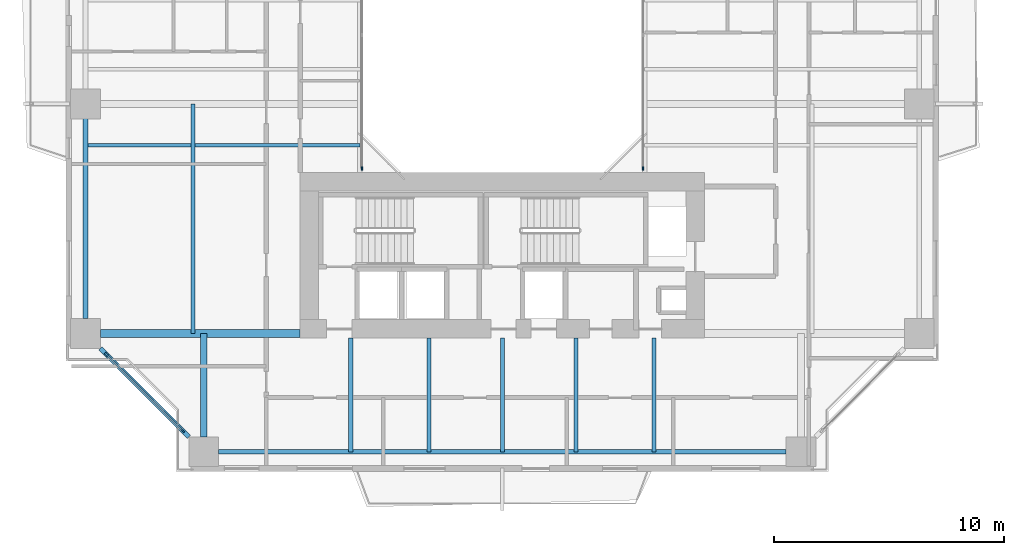
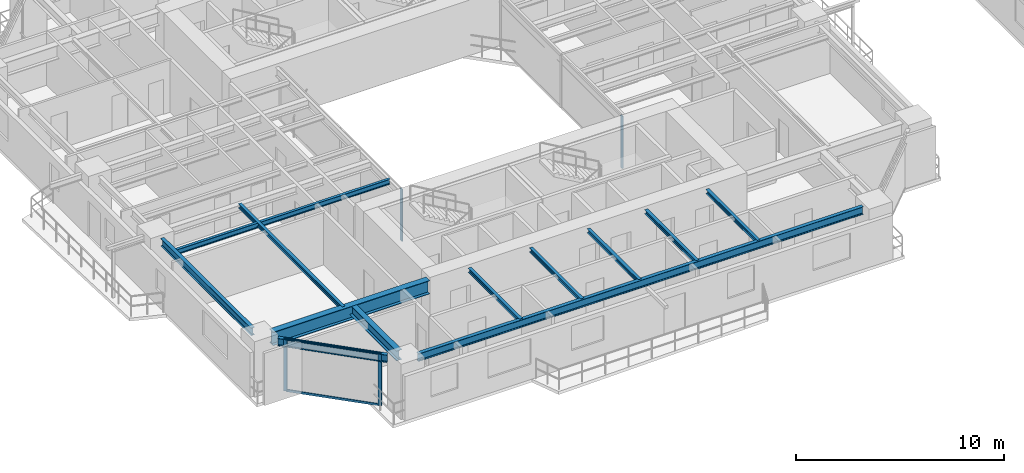
# One storey, part 2 of 23: 12 beams, 6 members, 3 elements without a shape of their own.
"""IFC4 building model written with IfcOpenShell, lengths in metres."""

from ifc_helpers import new_model, si_unit, direction, frame, origin, origin_2d, place, context, subcontext, project, spatial, rectangle, i_section, extrude, source, transform, mapped, material, layer, layer_set, material_profile, profile_set, type_object, element, aggregate, save


model = new_model("IFC4")

# Units and contexts
model_context = context("Model", 3, precision=1e-05, world=origin(), true_north=direction((0.0, 1.0)))
body_context = subcontext(model_context, "Body", "Model", "MODEL_VIEW")
ifc_project = project(units=[si_unit("LENGTHUNIT", "METRE"), si_unit("AREAUNIT", "SQUARE_METRE"), si_unit("VOLUMEUNIT", "CUBIC_METRE"), si_unit("PLANEANGLEUNIT", "RADIAN"), si_unit("MASSUNIT", "GRAM", prefix="KILO"), si_unit("THERMODYNAMICTEMPERATUREUNIT", "KELVIN"), si_unit("POWERUNIT", "WATT")], contexts=[model_context])

# Site, building, storey
site_placement = place(None, origin())
site = spatial("IfcSite", under=ifc_project, at=site_placement, CompositionType="ELEMENT")
building_placement = place(site_placement, origin())
building = spatial("IfcBuilding", under=site, at=building_placement, Name="Qiaomeng Ring Towers", CompositionType="ELEMENT")
storey_placement = place(building_placement, frame((0.0, 0.0, 39.25)))
storey = spatial("IfcBuildingStorey", under=building, at=storey_placement, Name="L10", CompositionType="ELEMENT", Elevation=39.25)

# Beams
ifc_material_1 = material(Name="Steel Q355B", Category="steel")
ifc_material_profile_1 = material_profile(ifc_material_1, i_section(OverallWidth=0.199951171875, OverallDepth=0.449951171875, WebThickness=0.009033203125, FlangeThickness=0.013916015625, FilletRadius=0.01806640625, at=origin_2d()), Name="HN 450x200x9x14")
ifc_profile_set_1 = profile_set([ifc_material_profile_1], Name="Steel Q355B")
beam_type_1 = type_object("IfcBeamType", Name="STR-BM-HN450", PredefinedType="SPANDREL", material=ifc_profile_set_1)
shared_shape_1 = source(origin(), body_context, "Body", "SweptSolid", [
    extrude(i_section(OverallWidth=0.199951171875, OverallDepth=0.449951171875, WebThickness=0.009033203125, FlangeThickness=0.013916015625, FilletRadius=0.01806640625, at=origin_2d()), origin(), (0.0, 0.0, 1.0), 24.7021484375),
])
beam_1_placement = place(storey_placement, frame((6.64892578125, 4.85009765625, 2.844970703125), z_axis=(1.0, 0.0, 0.0), x_axis=(0.0, 1.0, 0.0)))
element("IfcBeam", 1, at=beam_1_placement, inside=storey, type_object=beam_type_1, Name="L10 beam STR-SP-L10-T1-S1-S2", PredefinedType="SPANDREL", context=body_context, shape_type="MappedRepresentation", body=[
    mapped(shared_shape_1, transform((0.0, 0.0, 0.0), x_axis=(1.0, 0.0, 0.0), y_axis=(0.0, 1.0, 0.0), z_axis=(0.0, 0.0, 1.0), scale=1.0)),
])
shared_shape_2 = source(origin(), body_context, "Body", "SweptSolid", [
    extrude(i_section(OverallWidth=0.199951171875, OverallDepth=0.449951171875, WebThickness=0.009033203125, FlangeThickness=0.013916015625, FilletRadius=0.01806640625, at=origin_2d()), origin(), (0.0, 0.0, 1.0), 5.446533203125),
])
beam_2_placement = place(storey_placement, frame((1.499267578125, 9.3505859375, 2.844970703125), z_axis=(0.707106781187, -0.707106781187, 0.0), x_axis=(0.707106781187, 0.707106781187, 0.0)))
element("IfcBeam", 2, at=beam_2_placement, inside=storey, type_object=beam_type_1, Name="L10 beam STR-SP-L10-T1-W1-S1", PredefinedType="SPANDREL", context=body_context, shape_type="MappedRepresentation", body=[
    mapped(shared_shape_2, transform((0.0, 0.0, 0.0), x_axis=(1.0, 0.0, 0.0), y_axis=(0.0, 1.0, 0.0), z_axis=(0.0, 0.0, 1.0), scale=1.0)),
])
shared_shape_3 = source(origin(), body_context, "Body", "SweptSolid", [
    extrude(i_section(OverallWidth=0.199951171875, OverallDepth=0.449951171875, WebThickness=0.009033203125, FlangeThickness=0.013916015625, FilletRadius=0.01806640625, at=origin_2d()), origin(), (0.0, 0.0, 1.0), 8.7021484375),
])
beam_3_placement = place(storey_placement, frame((0.85009765625, 19.35107421875, 2.844970703125), z_axis=(0.0, -1.0, 0.0), x_axis=(1.0, 0.0, 0.0)))
element("IfcBeam", 3, at=beam_3_placement, inside=storey, type_object=beam_type_1, Name="L10 beam STR-SP-L10-T1-W2-W1", PredefinedType="SPANDREL", context=body_context, shape_type="MappedRepresentation", body=[
    mapped(shared_shape_3, transform((0.0, 0.0, 0.0), x_axis=(1.0, 0.0, 0.0), y_axis=(0.0, 1.0, 0.0), z_axis=(0.0, 0.0, 1.0), scale=1.0)),
])
ifc_material_2 = material(Name="Steel Q390GJC", Category="steel")
ifc_material_profile_2 = material_profile(ifc_material_2, i_section(OverallWidth=0.35009765625, OverallDepth=0.800048828125, WebThickness=0.01611328125, FlangeThickness=0.028076171875, at=origin_2d()), Name="WH 800x350x16x28")
ifc_profile_set_2 = profile_set([ifc_material_profile_2], Name="Steel Q390GJC")
beam_type_2 = type_object("IfcBeamType", Name="STR-BM-WH800", PredefinedType="BEAM", material=ifc_profile_set_2)
shared_shape_4 = source(origin(), body_context, "Body", "SweptSolid", [
    extrude(i_section(OverallWidth=0.35009765625, OverallDepth=0.800048828125, WebThickness=0.01611328125, FlangeThickness=0.028076171875, at=origin_2d()), origin(), (0.0, 0.0, 1.0), 8.700927734375),
])
beam_4_placement = place(storey_placement, frame((1.4990234375, 10.0, 2.669921875), z_axis=(1.0, 0.0, 0.0), x_axis=(0.0, 1.0, 0.0)))
element("IfcBeam", 4, at=beam_4_placement, inside=storey, type_object=beam_type_2, Name="L10 beam STR-BM-L10-T1-RAD-W1", PredefinedType="BEAM", context=body_context, shape_type="MappedRepresentation", body=[
    mapped(shared_shape_4, transform((0.0, 0.0, 0.0), x_axis=(1.0, 0.0, 0.0), y_axis=(0.0, 1.0, 0.0), z_axis=(0.0, 0.0, 1.0), scale=1.0)),
])
ifc_material_profile_3 = material_profile(ifc_material_1, i_section(OverallWidth=0.300048828125, OverallDepth=0.587890625, WebThickness=0.011962890625, FlangeThickness=0.02001953125, FilletRadius=0.028076171875, at=origin_2d()), Name="HM 588x300x12x20")
ifc_profile_set_3 = profile_set([ifc_material_profile_3], Name="Steel Q355B")
beam_type_3 = type_object("IfcBeamType", Name="STR-BM-HM588", PredefinedType="BEAM", material=ifc_profile_set_3)
shared_shape_5 = source(origin(), body_context, "Body", "SweptSolid", [
    extrude(i_section(OverallWidth=0.300048828125, OverallDepth=0.587890625, WebThickness=0.011962890625, FlangeThickness=0.02001953125, FilletRadius=0.028076171875, at=origin_2d()), origin(), (0.0, 0.0, 1.0), 4.5009765625),
])
beam_5_placement = place(storey_placement, frame((6.0, 5.4990234375, 2.77587890625), z_axis=(0.0, 1.0, 0.0), x_axis=(-1.0, 0.0, 0.0)))
element("IfcBeam", 5, at=beam_5_placement, inside=storey, type_object=beam_type_3, Name="L10 beam STR-BM-L10-T1-RAD-S1", PredefinedType="BEAM", context=body_context, shape_type="MappedRepresentation", body=[
    mapped(shared_shape_5, transform((0.0, 0.0, 0.0), x_axis=(1.0, 0.0, 0.0), y_axis=(0.0, 1.0, 0.0), z_axis=(0.0, 0.0, 1.0), scale=1.0)),
])
ifc_material_profile_4 = material_profile(ifc_material_1, i_section(OverallWidth=0.175048828125, OverallDepth=0.243896484375, WebThickness=0.007080078125, FlangeThickness=0.010986328125, FilletRadius=0.01611328125, at=origin_2d()), Name="HM 244x175x7x11")
ifc_profile_set_4 = profile_set([ifc_material_profile_4], Name="Steel Q355B")
beam_type_4 = type_object("IfcBeamType", Name="STR-BM-HM244", PredefinedType="JOIST", material=ifc_profile_set_4)
shared_shape_6 = source(origin(), body_context, "Body", "SweptSolid", [
    extrude(i_section(OverallWidth=0.175048828125, OverallDepth=0.243896484375, WebThickness=0.007080078125, FlangeThickness=0.010986328125, FilletRadius=0.01611328125, at=origin_2d()), origin(), (0.0, 0.0, 1.0), 4.949951171875),
])
for number, where, z_axis, x_axis, name in (
    (6, (12.39990234375, 4.85009765625, 2.947998046875), (0.0, 1.0, 0.0), (-1.0, 0.0, 0.0), "L10 beam STR-JST-L10-T1S-1"),
    (7, (15.800048828125, 4.85009765625, 2.947998046875), (0.0, 1.0, 0.0), (-1.0, 0.0, 0.0), "L10 beam STR-JST-L10-T1S-2"),
    (8, (19.0, 4.85009765625, 2.947998046875), (0.0, 1.0, 0.0), (-1.0, 0.0, 0.0), "L10 beam STR-JST-L10-T1S-3"),
    (9, (22.199951171875, 4.85009765625, 2.947998046875), (0.0, 1.0, 0.0), (-1.0, 0.0, 0.0), "L10 beam STR-JST-L10-T1S-4"),
    (10, (25.60009765625, 4.85009765625, 2.947998046875), (0.0, 1.0, 0.0), (-1.0, 0.0, 0.0), "L10 beam STR-JST-L10-T1S-5"),
):
    element("IfcBeam", number, at=place(storey_placement, frame(where, z_axis=z_axis, x_axis=x_axis)), inside=storey, type_object=beam_type_4, Name=name, PredefinedType="JOIST", context=body_context, shape_type="MappedRepresentation", body=[
        mapped(shared_shape_6, transform((0.0, 0.0, 0.0), x_axis=(1.0, 0.0, 0.0), y_axis=(0.0, 1.0, 0.0), z_axis=(0.0, 0.0, 1.0), scale=1.0)),
    ])
ifc_material_profile_5 = material_profile(ifc_material_1, i_section(OverallWidth=0.14990234375, OverallDepth=0.300048828125, WebThickness=0.006591796875, FlangeThickness=0.009033203125, FilletRadius=0.012939453125, at=origin_2d()), Name="HN 300x150x6.5x9")
ifc_profile_set_5 = profile_set([ifc_material_profile_5], Name="Steel Q355B")
beam_type_5 = type_object("IfcBeamType", Name="STR-BM-HN300", PredefinedType="JOIST", material=ifc_profile_set_5)
shared_shape_7 = source(origin(), body_context, "Body", "SweptSolid", [
    extrude(i_section(OverallWidth=0.14990234375, OverallDepth=0.300048828125, WebThickness=0.006591796875, FlangeThickness=0.009033203125, FilletRadius=0.012939453125, at=origin_2d()), origin(), (0.0, 0.0, 1.0), 11.949951171875),
])
beam_6_placement = place(storey_placement, frame((0.85009765625, 18.199951171875, 2.919921875), z_axis=(1.0, 0.0, 0.0), x_axis=(0.0, 1.0, 0.0)))
element("IfcBeam", 11, at=beam_6_placement, inside=storey, type_object=beam_type_5, Name="L10 beam STR-JST-L10-T1W-1", PredefinedType="JOIST", context=body_context, shape_type="MappedRepresentation", body=[
    mapped(shared_shape_7, transform((0.0, 0.0, 0.0), x_axis=(1.0, 0.0, 0.0), y_axis=(0.0, 1.0, 0.0), z_axis=(0.0, 0.0, 1.0), scale=1.0)),
])
shared_shape_8 = source(origin(), body_context, "Body", "SweptSolid", [
    extrude(i_section(OverallWidth=0.175048828125, OverallDepth=0.243896484375, WebThickness=0.007080078125, FlangeThickness=0.010986328125, FilletRadius=0.01611328125, at=origin_2d()), origin(), (0.0, 0.0, 1.0), 10.0),
])
beam_7_placement = place(storey_placement, frame((5.52490234375, 10.0, 2.947998046875), z_axis=(0.0, 1.0, 0.0), x_axis=(-1.0, 0.0, 0.0)))
element("IfcBeam", 12, at=beam_7_placement, inside=storey, type_object=beam_type_4, Name="L10 beam STR-JST-L10-T1C-WS", PredefinedType="JOIST", context=body_context, shape_type="MappedRepresentation", body=[
    mapped(shared_shape_8, transform((0.0, 0.0, 0.0), x_axis=(1.0, 0.0, 0.0), y_axis=(0.0, 1.0, 0.0), z_axis=(0.0, 0.0, 1.0), scale=1.0)),
])

# Curtain wall, member
ifc_material_3 = material(Name="Fluorocarbon dark-grey aluminium", Category="aluminium")
ifc_layer_1 = layer(ifc_material_3, 0.139892578125, Name="Fluorocarbon dark-grey aluminium")
ifc_layer_set_1 = layer_set([ifc_layer_1], Name="Fluorocarbon dark-grey aluminium")
curtain_wall_type_1 = type_object("IfcCurtainWallType", Name="ARC-CW-4", PredefinedType="NOTDEFINED", material=ifc_layer_set_1)
curtain_wall_1_placement = place(storey_placement, origin())
curtain_wall_1 = element("IfcCurtainWall", 13, at=curtain_wall_1_placement, inside=storey, type_object=curtain_wall_type_1, Name="L10 Curtain Wall CW4", PredefinedType="NOTDEFINED")
ifc_material_profile_6 = material_profile(ifc_material_3, rectangle(XDim=0.06494140625, YDim=0.159912109375, at=origin_2d()), Name="ALU MULL 65x160")
ifc_profile_set_6 = profile_set([ifc_material_profile_6], Name="Fluorocarbon dark-grey aluminium")
member_type_1 = type_object("IfcMemberType", Name="ARC-CWM-140", PredefinedType="MULLION", material=ifc_profile_set_6)
shared_shape_9 = source(origin(), body_context, "Body", "SweptSolid", [
    extrude(rectangle(XDim=0.06494140625, YDim=0.159912109375, at=origin_2d()), origin(), (0.0, 0.0, 1.0), 3.070068359375),
])
member_1_placement = place(storey_placement, frame((12.8798828125, 17.1826171875, 0.0), z_axis=(0.0, 0.0, 1.0), x_axis=(-1.0, 0.0, 0.0)))
member_1 = element("IfcMember", 14, at=member_1_placement, type_object=member_type_1, Name="CW4 mullion 1", PredefinedType="MULLION", context=body_context, shape_type="MappedRepresentation", body=[
    mapped(shared_shape_9, transform((0.0, 0.0, 0.0), x_axis=(1.0, 0.0, 0.0), y_axis=(0.0, 1.0, 0.0), z_axis=(0.0, 0.0, 1.0), scale=1.0)),
])
aggregate(curtain_wall_1, [member_1])

curtain_wall_2_placement = place(storey_placement, origin())
curtain_wall_2 = element("IfcCurtainWall", 15, at=curtain_wall_2_placement, inside=storey, type_object=curtain_wall_type_1, Name="L10 Curtain Wall CW4", PredefinedType="NOTDEFINED")
member_2_placement = place(storey_placement, frame((25.1201171875, 17.1826171875, 0.0), z_axis=(0.0, 0.0, 1.0), x_axis=(-1.0, 0.0, 0.0)))
member_2 = element("IfcMember", 16, at=member_2_placement, type_object=member_type_1, Name="CW4 mullion 1", PredefinedType="MULLION", context=body_context, shape_type="MappedRepresentation", body=[
    mapped(shared_shape_9, transform((0.0, 0.0, 0.0), x_axis=(1.0, 0.0, 0.0), y_axis=(0.0, 1.0, 0.0), z_axis=(0.0, 0.0, 1.0), scale=1.0)),
])
aggregate(curtain_wall_2, [member_2])

# Curtain wall, members
ifc_layer_2 = layer(ifc_material_3, 0.159912109375, Name="Fluorocarbon dark-grey aluminium")
ifc_layer_set_2 = layer_set([ifc_layer_2], Name="Fluorocarbon dark-grey aluminium")
curtain_wall_type_2 = type_object("IfcCurtainWallType", Name="ARC-CW-2", PredefinedType="NOTDEFINED", material=ifc_layer_set_2)
curtain_wall_3_placement = place(storey_placement, origin())
curtain_wall_3 = element("IfcCurtainWall", 17, at=curtain_wall_3_placement, inside=storey, type_object=curtain_wall_type_2, Name="L10 Curtain Wall CW2", PredefinedType="NOTDEFINED")
ifc_material_profile_7 = material_profile(ifc_material_3, rectangle(XDim=0.070068359375, YDim=0.179931640625, at=origin_2d()), Name="ALU MULL 70x180")
ifc_profile_set_7 = profile_set([ifc_material_profile_7], Name="Fluorocarbon dark-grey aluminium")
member_type_2 = type_object("IfcMemberType", Name="ARC-CWM-160", PredefinedType="MULLION", material=ifc_profile_set_7)
shared_shape_10 = source(origin(), body_context, "Body", "SweptSolid", [
    extrude(rectangle(XDim=0.070068359375, YDim=0.179931640625, at=origin_2d()), origin(), (0.0, 0.0, 1.0), 3.070068359375),
])
member_3_placement = place(storey_placement, frame((1.7646484375, 9.085205078125, 0.0), z_axis=(0.0, 0.0, 1.0), x_axis=(0.707106781187, 0.707106781187, 0.0)))
member_3 = element("IfcMember", 18, at=member_3_placement, type_object=member_type_2, Name="CW2 mullion 1", PredefinedType="MULLION", context=body_context, shape_type="MappedRepresentation", body=[
    mapped(shared_shape_10, transform((0.0, 0.0, 0.0), x_axis=(1.0, 0.0, 0.0), y_axis=(0.0, 1.0, 0.0), z_axis=(0.0, 0.0, 1.0), scale=1.0)),
])
member_4_placement = place(storey_placement, frame((5.085205078125, 5.7646484375, 0.0), z_axis=(0.0, 0.0, 1.0), x_axis=(0.707106781187, 0.707106781187, 0.0)))
member_4 = element("IfcMember", 19, at=member_4_placement, type_object=member_type_2, Name="CW2 mullion 2", PredefinedType="MULLION", context=body_context, shape_type="MappedRepresentation", body=[
    mapped(shared_shape_10, transform((0.0, 0.0, 0.0), x_axis=(1.0, 0.0, 0.0), y_axis=(0.0, 1.0, 0.0), z_axis=(0.0, 0.0, 1.0), scale=1.0)),
])
ifc_material_profile_8 = material_profile(ifc_material_3, rectangle(XDim=0.06494140625, YDim=0.1298828125, at=origin_2d()), Name="ALU TRAN 65x130")
ifc_profile_set_8 = profile_set([ifc_material_profile_8], Name="Fluorocarbon dark-grey aluminium")
member_type_3 = type_object("IfcMemberType", Name="ARC-CWT-120", PredefinedType="USERDEFINED", material=ifc_profile_set_8)
shared_shape_11 = source(origin(), body_context, "Body", "SweptSolid", [
    extrude(rectangle(XDim=0.06494140625, YDim=0.1298828125, at=origin_2d()), origin(), (0.0, 0.0, 1.0), 4.6259765625),
])
member_5_placement = place(storey_placement, frame((1.78955078125, 9.060546875, 0.032470703125), z_axis=(0.707106781187, -0.707106781187, 0.0), x_axis=(0.707106781187, 0.707106781187, 0.0)))
member_5 = element("IfcMember", 20, at=member_5_placement, type_object=member_type_3, Name="CW2 transom 1.1", ObjectType="TRANSOM", PredefinedType="USERDEFINED", context=body_context, shape_type="MappedRepresentation", body=[
    mapped(shared_shape_11, transform((0.0, 0.0, 0.0), x_axis=(1.0, 0.0, 0.0), y_axis=(0.0, 1.0, 0.0), z_axis=(0.0, 0.0, 1.0), scale=1.0)),
])
member_6_placement = place(storey_placement, frame((1.78955078125, 9.060546875, 3.03759765625), z_axis=(0.707106781187, -0.707106781187, 0.0), x_axis=(0.707106781187, 0.707106781187, 0.0)))
member_6 = element("IfcMember", 21, at=member_6_placement, type_object=member_type_3, Name="CW2 transom 1.2", ObjectType="TRANSOM", PredefinedType="USERDEFINED", context=body_context, shape_type="MappedRepresentation", body=[
    mapped(shared_shape_11, transform((0.0, 0.0, 0.0), x_axis=(1.0, 0.0, 0.0), y_axis=(0.0, 1.0, 0.0), z_axis=(0.0, 0.0, 1.0), scale=1.0)),
])
aggregate(curtain_wall_3, [member_3, member_4, member_5, member_6])

save(model, "model.ifc")
